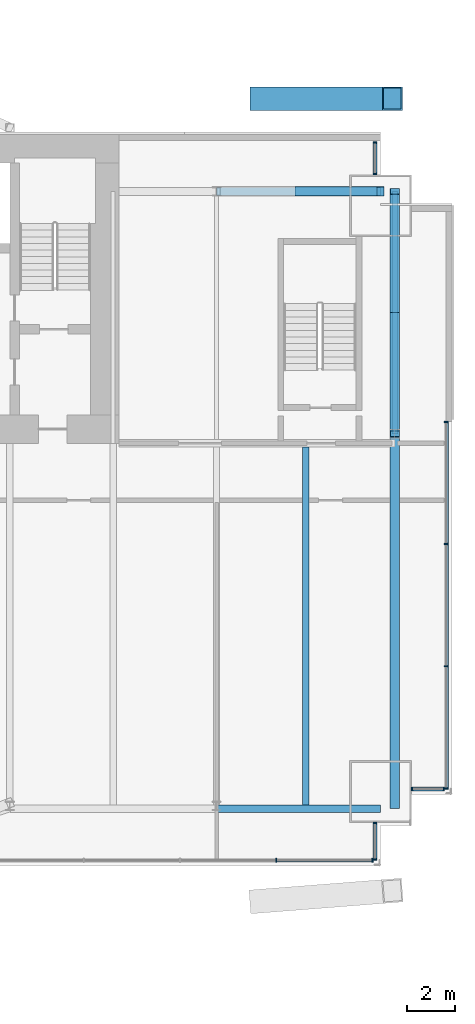
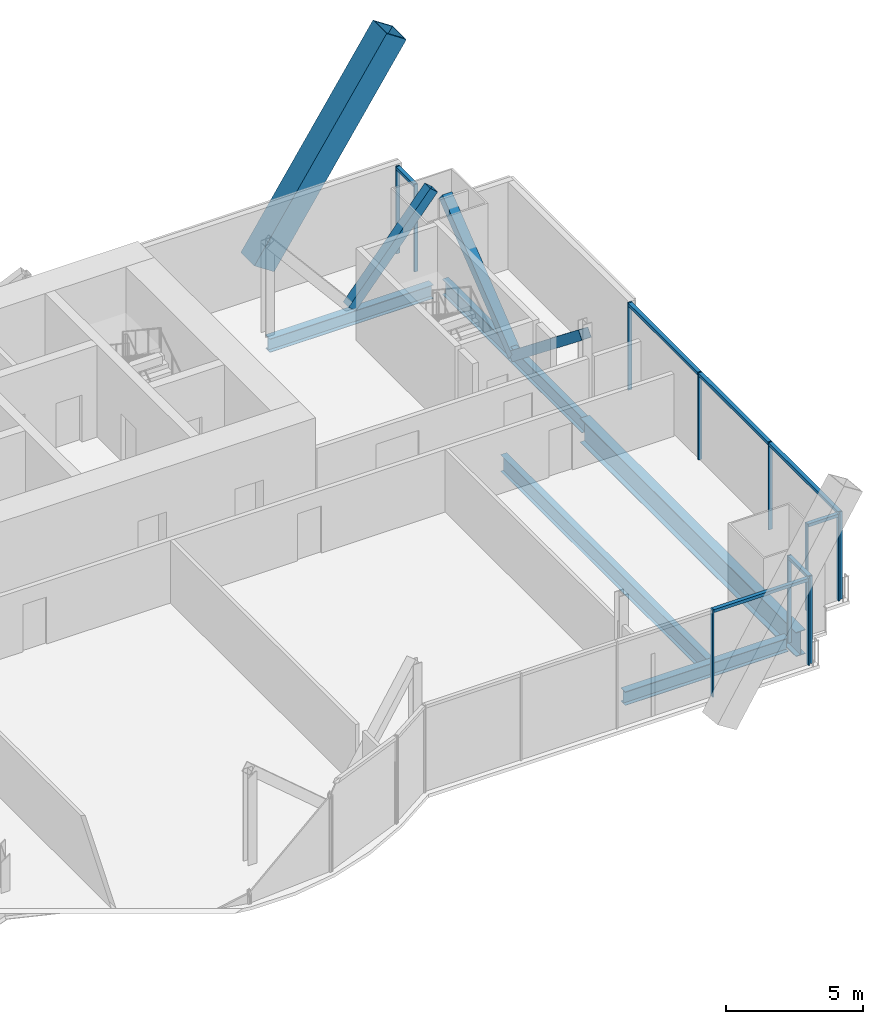
# One storey, part 12 of 20: 23 members, 5 beams, 5 elements without a shape of their own.
"""IFC4 building model written with IfcOpenShell, lengths in metres."""

from ifc_helpers import new_model, si_unit, direction, frame, origin, origin_2d, place, context, subcontext, project, spatial, rectangle, hollow_rectangle, i_section, extrude, material, material_profile, profile_set, type_object, element, aggregate, save


model = new_model("IFC4")

# Units and contexts
model_context = context("Model", 3, precision=1e-05, world=origin(), true_north=direction((0.0, 1.0)))
body_context = subcontext(model_context, "Body", "Model", "MODEL_VIEW")
ifc_project = project(units=[si_unit("LENGTHUNIT", "METRE"), si_unit("AREAUNIT", "SQUARE_METRE"), si_unit("VOLUMEUNIT", "CUBIC_METRE"), si_unit("PLANEANGLEUNIT", "RADIAN"), si_unit("MASSUNIT", "GRAM", prefix="KILO")], contexts=[model_context])

# Site, building, storey
site_placement = place(None, origin())
site = spatial("IfcSite", under=ifc_project, at=site_placement, CompositionType="ELEMENT")
building_placement = place(site_placement, origin())
building = spatial("IfcBuilding", under=site, at=building_placement, Name="Bicima Exchange Tower", CompositionType="ELEMENT")
storey_placement = place(building_placement, frame((0.0, 0.0, 231.89990234375)))
storey = spatial("IfcBuildingStorey", under=building, at=storey_placement, Name="L52", CompositionType="ELEMENT", Elevation=231.89990234375)

# Curtain wall, members
ifc_material_1 = material(Name="Anodised bronze aluminium", Category="aluminium")
curtain_wall_type_1 = type_object("IfcCurtainWallType", Name="End face glass wall", PredefinedType="NOTDEFINED", material=ifc_material_1)
curtain_wall_1_placement = place(storey_placement, origin())
curtain_wall_1 = element("IfcCurtainWall", 1, at=curtain_wall_1_placement, inside=storey, type_object=curtain_wall_type_1, Name="End face glass wall L52 run 19", PredefinedType="NOTDEFINED")
ifc_material_profile_1 = material_profile(ifc_material_1, rectangle(XDim=0.159912109375, YDim=0.06005859375, at=origin_2d()))
ifc_profile_set_1 = profile_set([ifc_material_profile_1], Name="Anodised bronze aluminium")
member_type_1 = type_object("IfcMemberType", Name="End face glass wall mullion 60 x 160", PredefinedType="MULLION", material=ifc_profile_set_1)
member_1_placement = place(storey_placement, frame((35.77001953125, -27.51611328125, 0.0), z_axis=(0.0, 0.0, 1.0), x_axis=(-1.0, 0.0, 0.0)))
member_1 = element("IfcMember", 2, at=member_1_placement, type_object=member_type_1, Name="End face glass wall mullion 1", PredefinedType="MULLION", context=body_context, shape_type="SweptSolid", body=[
    extrude(rectangle(XDim=0.159912109375, YDim=0.06005859375, at=origin_2d()), origin(), (0.0, 0.0, 1.0), 3.900146484375),
])
member_2_placement = place(storey_placement, frame((35.77001953125, -22.380615234375, 0.0), z_axis=(0.0, 0.0, 1.0), x_axis=(-1.0, 0.0, 0.0)))
member_2 = element("IfcMember", 3, at=member_2_placement, type_object=member_type_1, Name="End face glass wall mullion 2", PredefinedType="MULLION", context=body_context, shape_type="SweptSolid", body=[
    extrude(rectangle(XDim=0.159912109375, YDim=0.06005859375, at=origin_2d()), origin(), (0.0, 0.0, 1.0), 3.900146484375),
])
member_3_placement = place(storey_placement, frame((35.77001953125, -17.245361328125, 0.0), z_axis=(0.0, 0.0, 1.0), x_axis=(-1.0, 0.0, 0.0)))
member_3 = element("IfcMember", 4, at=member_3_placement, type_object=member_type_1, Name="End face glass wall mullion 3", PredefinedType="MULLION", context=body_context, shape_type="SweptSolid", body=[
    extrude(rectangle(XDim=0.159912109375, YDim=0.06005859375, at=origin_2d()), origin(), (0.0, 0.0, 1.0), 3.900146484375),
])
member_4_placement = place(storey_placement, frame((35.77001953125, -12.110107421875, 0.0), z_axis=(0.0, 0.0, 1.0), x_axis=(-1.0, 0.0, 0.0)))
member_4 = element("IfcMember", 5, at=member_4_placement, type_object=member_type_1, Name="End face glass wall mullion 4", PredefinedType="MULLION", context=body_context, shape_type="SweptSolid", body=[
    extrude(rectangle(XDim=0.159912109375, YDim=0.06005859375, at=origin_2d()), origin(), (0.0, 0.0, 1.0), 3.900146484375),
])
ifc_material_profile_2 = material_profile(ifc_material_1, rectangle(XDim=0.159912109375, YDim=0.139892578125, at=origin_2d()))
ifc_profile_set_2 = profile_set([ifc_material_profile_2], Name="Anodised bronze aluminium")
member_type_2 = type_object("IfcMemberType", Name="End face glass wall transom 140 x 160", PredefinedType="USERDEFINED", material=ifc_profile_set_2)
member_5_placement = place(storey_placement, frame((35.77001953125, -27.486083984375, 3.830078125), z_axis=(0.0, 1.0, 0.0), x_axis=(-1.0, 0.0, 0.0)))
member_5 = element("IfcMember", 6, at=member_5_placement, type_object=member_type_2, Name="End face glass wall transom 1.1", ObjectType="TRANSOM", PredefinedType="USERDEFINED", context=body_context, shape_type="SweptSolid", body=[
    extrude(rectangle(XDim=0.159912109375, YDim=0.139892578125, at=origin_2d()), origin(), (0.0, 0.0, 1.0), 5.075439453125),
])
member_6_placement = place(storey_placement, frame((35.77001953125, -22.3505859375, 3.830078125), z_axis=(0.0, 1.0, 0.0), x_axis=(-1.0, 0.0, 0.0)))
member_6 = element("IfcMember", 7, at=member_6_placement, type_object=member_type_2, Name="End face glass wall transom 2.1", ObjectType="TRANSOM", PredefinedType="USERDEFINED", context=body_context, shape_type="SweptSolid", body=[
    extrude(rectangle(XDim=0.159912109375, YDim=0.139892578125, at=origin_2d()), origin(), (0.0, 0.0, 1.0), 5.0751953125),
])
member_7_placement = place(storey_placement, frame((35.77001953125, -17.21533203125, 3.830078125), z_axis=(0.0, 1.0, 0.0), x_axis=(-1.0, 0.0, 0.0)))
member_7 = element("IfcMember", 8, at=member_7_placement, type_object=member_type_2, Name="End face glass wall transom 3.1", ObjectType="TRANSOM", PredefinedType="USERDEFINED", context=body_context, shape_type="SweptSolid", body=[
    extrude(rectangle(XDim=0.159912109375, YDim=0.139892578125, at=origin_2d()), origin(), (0.0, 0.0, 1.0), 5.075439453125),
])
aggregate(curtain_wall_1, [member_1, member_2, member_3, member_4, member_5, member_6, member_7])

# Beams
ifc_material_2 = material(Name="Steel ASTM A992 Gr 50", Category="steel")
ifc_material_profile_3 = material_profile(ifc_material_2, i_section(OverallWidth=0.256591796875, OverallDepth=0.693359375, WebThickness=0.014404296875, FlangeThickness=0.023681640625, at=origin_2d()))
ifc_profile_set_3 = profile_set([ifc_material_profile_3], Name="Steel ASTM A992 Gr 50")
beam_type_1 = type_object("IfcBeamType", Name="End girder W27x114", PredefinedType="BEAM", material=ifc_profile_set_3)
beam_1_placement = place(storey_placement, frame((33.60009765625, -2.39990234375, -0.49658203125), z_axis=(0.0, -1.0, 0.0), x_axis=(1.0, 0.0, 0.0)))
element("IfcBeam", 9, at=beam_1_placement, inside=storey, type_object=beam_type_1, Name="End girder", PredefinedType="BEAM", context=body_context, shape_type="SweptSolid", body=[
    extrude(i_section(OverallWidth=0.256591796875, OverallDepth=0.693359375, WebThickness=0.014404296875, FlangeThickness=0.023681640625, at=origin_2d()), origin(), (0.0, 0.0, 1.0), 10.2001953125),
])
ifc_material_profile_4 = material_profile(ifc_material_2, i_section(OverallWidth=0.4013671875, OverallDepth=1.089599609375, WebThickness=0.01806640625, FlangeThickness=0.031005859375, at=origin_2d()))
ifc_profile_set_4 = profile_set([ifc_material_profile_4], Name="Steel ASTM A992 Gr 50")
beam_type_2 = type_object("IfcBeamType", Name="End girder W44x230", PredefinedType="BEAM", material=ifc_profile_set_4)
beam_2_placement = place(storey_placement, frame((33.60009765625, -12.60009765625, -0.69482421875), z_axis=(0.0, -1.0, 0.0), x_axis=(1.0, 0.0, 0.0)))
element("IfcBeam", 10, at=beam_2_placement, inside=storey, type_object=beam_type_2, Name="End girder", PredefinedType="BEAM", context=body_context, shape_type="SweptSolid", body=[
    extrude(i_section(OverallWidth=0.4013671875, OverallDepth=1.089599609375, WebThickness=0.01806640625, FlangeThickness=0.031005859375, at=origin_2d()), origin(), (0.0, 0.0, 1.0), 15.77587890625),
])

# Member
ifc_material_3 = material(Name="Steel ASTM A572 Gr 50", Category="steel")
ifc_material_profile_5 = material_profile(ifc_material_3, hollow_rectangle(XDim=1.0, YDim=1.0, WallThickness=0.06005859375, at=origin_2d()))
ifc_profile_set_5 = profile_set([ifc_material_profile_5], Name="Steel ASTM A572 Gr 50")
member_type_3 = type_object("IfcMemberType", Name="Exo mega brace BOX 1000x1000x60", PredefinedType="BRACE", material=ifc_profile_set_5)
member_8_placement = place(storey_placement, frame((27.916748046875, 1.5, 0.183349609375), z_axis=(0.552785436873, 0.0, 0.833323623079), x_axis=(0.0, 1.0, 0.0)))
element("IfcMember", 11, at=member_8_placement, inside=storey, type_object=member_type_3, Name="Exo mega brace rear", PredefinedType="BRACE", context=body_context, shape_type="SweptSolid", body=[
    extrude(hollow_rectangle(XDim=1.0, YDim=1.0, WallThickness=0.06005859375, at=origin_2d()), origin(), (0.0, 0.0, 1.0), 10.10009765625),
])

# Beams
ifc_material_profile_6 = material_profile(ifc_material_2, i_section(OverallWidth=0.2666015625, OverallDepth=0.75439453125, WebThickness=0.01318359375, FlangeThickness=0.01708984375, at=origin_2d()))
ifc_profile_set_6 = profile_set([ifc_material_profile_6], Name="Steel ASTM A992 Gr 50")
beam_type_3 = type_object("IfcBeamType", Name="Floor beam W30x99", PredefinedType="JOIST", material=ifc_profile_set_6)
beam_3_placement = place(storey_placement, frame((29.85009765625, -13.15234375, -0.527099609375), z_axis=(0.0, -1.0, 0.0), x_axis=(1.0, 0.0, 0.0)))
element("IfcBeam", 12, at=beam_3_placement, inside=storey, type_object=beam_type_3, Name="Floor beam", PredefinedType="JOIST", context=body_context, shape_type="SweptSolid", body=[
    extrude(i_section(OverallWidth=0.2666015625, OverallDepth=0.75439453125, WebThickness=0.01318359375, FlangeThickness=0.01708984375, at=origin_2d()), origin(), (0.0, 0.0, 1.0), 15.06103515625),
])
ifc_material_profile_7 = material_profile(ifc_material_2, i_section(OverallWidth=0.3251953125, OverallDepth=0.612060546875, WebThickness=0.0126953125, FlangeThickness=0.01904296875, at=origin_2d()))
ifc_profile_set_7 = profile_set([ifc_material_profile_7], Name="Steel ASTM A992 Gr 50")
beam_type_4 = type_object("IfcBeamType", Name="Front girder W24x104", PredefinedType="BEAM", material=ifc_profile_set_7)
beam_4_placement = place(storey_placement, frame((26.10009765625, -28.3759765625, -0.4560546875), z_axis=(1.0, 0.0, 0.0), x_axis=(0.0, 1.0, 0.0)))
element("IfcBeam", 13, at=beam_4_placement, inside=storey, type_object=beam_type_4, Name="Front girder", PredefinedType="BEAM", context=body_context, shape_type="SweptSolid", body=[
    extrude(i_section(OverallWidth=0.3251953125, OverallDepth=0.612060546875, WebThickness=0.0126953125, FlangeThickness=0.01904296875, at=origin_2d()), origin(), (0.0, 0.0, 1.0), 6.89990234375),
])

# Curtain wall, members
curtain_wall_type_2 = type_object("IfcCurtainWallType", Name="Front glass wall", PredefinedType="NOTDEFINED", material=ifc_material_1)
curtain_wall_2_placement = place(storey_placement, origin())
curtain_wall_2 = element("IfcCurtainWall", 14, at=curtain_wall_2_placement, inside=storey, type_object=curtain_wall_type_2, Name="Front glass wall L52 run 16", PredefinedType="NOTDEFINED")
member_type_4 = type_object("IfcMemberType", Name="Front glass wall mullion 60 x 160", PredefinedType="MULLION", material=ifc_profile_set_1)
member_9_placement = place(storey_placement, frame((28.610595703125, -30.5458984375, 0.0), z_axis=(0.0, 0.0, 1.0), x_axis=(0.0, 1.0, 0.0)))
member_9 = element("IfcMember", 15, at=member_9_placement, type_object=member_type_4, Name="Front glass wall mullion 4", PredefinedType="MULLION", context=body_context, shape_type="SweptSolid", body=[
    extrude(rectangle(XDim=0.159912109375, YDim=0.06005859375, at=origin_2d()), origin(), (0.0, 0.0, 1.0), 3.900146484375),
])
member_10_placement = place(storey_placement, frame((32.659912109375, -30.5458984375, 0.0), z_axis=(0.0, 0.0, 1.0), x_axis=(0.0, 1.0, 0.0)))
member_10 = element("IfcMember", 16, at=member_10_placement, type_object=member_type_4, Name="Front glass wall mullion 5", PredefinedType="MULLION", context=body_context, shape_type="SweptSolid", body=[
    extrude(rectangle(XDim=0.159912109375, YDim=0.06005859375, at=origin_2d()), origin(), (0.0, 0.0, 1.0), 3.900146484375),
])

curtain_wall_3_placement = place(storey_placement, origin())
curtain_wall_3 = element("IfcCurtainWall", 17, at=curtain_wall_3_placement, inside=storey, type_object=curtain_wall_type_2, Name="Front glass wall L52 run 17", PredefinedType="NOTDEFINED")
member_11_placement = place(storey_placement, frame((32.77001953125, -30.51611328125, 0.0), z_axis=(0.0, 0.0, 1.0), x_axis=(-1.0, 0.0, 0.0)))
member_11 = element("IfcMember", 18, at=member_11_placement, type_object=member_type_4, Name="Front glass wall mullion 1", PredefinedType="MULLION", context=body_context, shape_type="SweptSolid", body=[
    extrude(rectangle(XDim=0.159912109375, YDim=0.06005859375, at=origin_2d()), origin(), (0.0, 0.0, 1.0), 3.900146484375),
])
member_12_placement = place(storey_placement, frame((32.77001953125, -28.98388671875, 0.0), z_axis=(0.0, 0.0, 1.0), x_axis=(-1.0, 0.0, 0.0)))
member_12 = element("IfcMember", 19, at=member_12_placement, type_object=member_type_4, Name="Front glass wall mullion 2", PredefinedType="MULLION", context=body_context, shape_type="SweptSolid", body=[
    extrude(rectangle(XDim=0.159912109375, YDim=0.06005859375, at=origin_2d()), origin(), (0.0, 0.0, 1.0), 3.900146484375),
])

curtain_wall_4_placement = place(storey_placement, origin())
curtain_wall_4 = element("IfcCurtainWall", 20, at=curtain_wall_4_placement, inside=storey, type_object=curtain_wall_type_2, Name="Front glass wall L52 run 18", PredefinedType="NOTDEFINED")
member_13_placement = place(storey_placement, frame((34.330078125, -27.5458984375, 0.0), z_axis=(0.0, 0.0, 1.0), x_axis=(0.0, 1.0, 0.0)))
member_13 = element("IfcMember", 21, at=member_13_placement, type_object=member_type_4, Name="Front glass wall mullion 1", PredefinedType="MULLION", context=body_context, shape_type="SweptSolid", body=[
    extrude(rectangle(XDim=0.159912109375, YDim=0.06005859375, at=origin_2d()), origin(), (0.0, 0.0, 1.0), 3.900146484375),
])
member_14_placement = place(storey_placement, frame((35.659912109375, -27.5458984375, 0.0), z_axis=(0.0, 0.0, 1.0), x_axis=(0.0, 1.0, 0.0)))
member_14 = element("IfcMember", 22, at=member_14_placement, type_object=member_type_4, Name="Front glass wall mullion 2", PredefinedType="MULLION", context=body_context, shape_type="SweptSolid", body=[
    extrude(rectangle(XDim=0.159912109375, YDim=0.06005859375, at=origin_2d()), origin(), (0.0, 0.0, 1.0), 3.900146484375),
])

curtain_wall_5_placement = place(storey_placement, origin())
curtain_wall_5 = element("IfcCurtainWall", 23, at=curtain_wall_5_placement, inside=storey, type_object=curtain_wall_type_2, Name="Front glass wall L52 run 20", PredefinedType="NOTDEFINED")
member_15_placement = place(storey_placement, frame((32.77001953125, -1.669921875, 0.0), z_axis=(0.0, 0.0, 1.0), x_axis=(-1.0, 0.0, 0.0)))
member_15 = element("IfcMember", 24, at=member_15_placement, type_object=member_type_4, Name="Front glass wall mullion 1", PredefinedType="MULLION", context=body_context, shape_type="SweptSolid", body=[
    extrude(rectangle(XDim=0.159912109375, YDim=0.06005859375, at=origin_2d()), origin(), (0.0, 0.0, 1.0), 3.900146484375),
])
member_16_placement = place(storey_placement, frame((32.77001953125, -0.340087890625, 0.0), z_axis=(0.0, 0.0, 1.0), x_axis=(-1.0, 0.0, 0.0)))
member_16 = element("IfcMember", 25, at=member_16_placement, type_object=member_type_4, Name="Front glass wall mullion 2", PredefinedType="MULLION", context=body_context, shape_type="SweptSolid", body=[
    extrude(rectangle(XDim=0.159912109375, YDim=0.06005859375, at=origin_2d()), origin(), (0.0, 0.0, 1.0), 3.900146484375),
])

# Member
member_type_5 = type_object("IfcMemberType", Name="Front glass wall transom 140 x 160", PredefinedType="USERDEFINED", material=ifc_profile_set_2)
member_17_placement = place(storey_placement, frame((28.640380859375, -30.5458984375, 3.830078125), z_axis=(1.0, 0.0, 0.0), x_axis=(0.0, 1.0, 0.0)))
member_17 = element("IfcMember", 26, at=member_17_placement, type_object=member_type_5, Name="Front glass wall transom 4.1", ObjectType="TRANSOM", PredefinedType="USERDEFINED", context=body_context, shape_type="SweptSolid", body=[
    extrude(rectangle(XDim=0.159912109375, YDim=0.139892578125, at=origin_2d()), origin(), (0.0, 0.0, 1.0), 3.989501953125),
])

aggregate(curtain_wall_2, [member_9, member_10, member_17])

member_18_placement = place(storey_placement, frame((32.77001953125, -30.486083984375, 3.830078125), z_axis=(0.0, 1.0, 0.0), x_axis=(-1.0, 0.0, 0.0)))
member_18 = element("IfcMember", 27, at=member_18_placement, type_object=member_type_5, Name="Front glass wall transom 1.1", ObjectType="TRANSOM", PredefinedType="USERDEFINED", context=body_context, shape_type="SweptSolid", body=[
    extrude(rectangle(XDim=0.159912109375, YDim=0.139892578125, at=origin_2d()), origin(), (0.0, 0.0, 1.0), 1.47216796875),
])

aggregate(curtain_wall_3, [member_11, member_12, member_18])

member_19_placement = place(storey_placement, frame((34.360107421875, -27.5458984375, 3.830078125), z_axis=(1.0, 0.0, 0.0), x_axis=(0.0, 1.0, 0.0)))
member_19 = element("IfcMember", 28, at=member_19_placement, type_object=member_type_5, Name="Front glass wall transom 1.1", ObjectType="TRANSOM", PredefinedType="USERDEFINED", context=body_context, shape_type="SweptSolid", body=[
    extrude(rectangle(XDim=0.159912109375, YDim=0.139892578125, at=origin_2d()), origin(), (0.0, 0.0, 1.0), 1.269775390625),
])

aggregate(curtain_wall_4, [member_13, member_14, member_19])

member_20_placement = place(storey_placement, frame((32.77001953125, -1.639892578125, 3.830078125), z_axis=(0.0, 1.0, 0.0), x_axis=(-1.0, 0.0, 0.0)))
member_20 = element("IfcMember", 29, at=member_20_placement, type_object=member_type_5, Name="Front glass wall transom 1.1", ObjectType="TRANSOM", PredefinedType="USERDEFINED", context=body_context, shape_type="SweptSolid", body=[
    extrude(rectangle(XDim=0.159912109375, YDim=0.139892578125, at=origin_2d()), origin(), (0.0, 0.0, 1.0), 1.269775390625),
])

aggregate(curtain_wall_5, [member_15, member_16, member_20])

# Members
ifc_material_profile_8 = material_profile(ifc_material_3, hollow_rectangle(XDim=0.406494140625, YDim=0.406494140625, WallThickness=0.0146484375, at=origin_2d()))
ifc_profile_set_8 = profile_set([ifc_material_profile_8], Name="Steel ASTM A572 Gr 50")
member_type_6 = type_object("IfcMemberType", Name="Mega brace HSS16x16x5/8", PredefinedType="BRACE", material=ifc_profile_set_8)
member_21_placement = place(storey_placement, frame((29.550048828125, -2.39990234375, 0.0), z_axis=(0.643834042494, 0.0, 0.765165162384), x_axis=(0.0, 1.0, 0.0)))
element("IfcMember", 30, at=member_21_placement, inside=storey, type_object=member_type_6, Name="Mega brace rear", PredefinedType="BRACE", context=body_context, shape_type="SweptSolid", body=[
    extrude(hollow_rectangle(XDim=0.406494140625, YDim=0.406494140625, WallThickness=0.0146484375, at=origin_2d()), origin(), (0.0, 0.0, 1.0), 5.3583984375),
])
for number, where, z_axis, x_axis, name in (
    (31, (33.60009765625, -7.5, -0.49658203125), (0.0, -0.783112995316, 0.621879438932), (1.0, 0.0, 0.0), "Mega brace east end"),
    (32, (33.60009765625, -7.5, -0.49658203125), (0.0, 0.783112995316, 0.621879438932), (-1.0, 0.0, 0.0), "Mega brace east end"),
):
    element("IfcMember", number, at=place(storey_placement, frame(where, z_axis=z_axis, x_axis=x_axis)), inside=storey, type_object=member_type_6, Name=name, PredefinedType="BRACE", context=body_context, shape_type="SweptSolid", body=[
        extrude(hollow_rectangle(XDim=0.406494140625, YDim=0.406494140625, WallThickness=0.0146484375, at=origin_2d()), origin(), (0.0, 0.0, 1.0), 6.5126953125),
    ])

# Beam
beam_type_5 = type_object("IfcBeamType", Name="Rear girder W24x104", PredefinedType="BEAM", material=ifc_profile_set_7)
beam_5_placement = place(storey_placement, frame((26.10009765625, -2.39990234375, -0.4560546875), z_axis=(1.0, 0.0, 0.0), x_axis=(0.0, 1.0, 0.0)))
element("IfcBeam", 33, at=beam_5_placement, inside=storey, type_object=beam_type_5, Name="Rear girder", PredefinedType="BEAM", context=body_context, shape_type="SweptSolid", body=[
    extrude(i_section(OverallWidth=0.3251953125, OverallDepth=0.612060546875, WebThickness=0.0126953125, FlangeThickness=0.01904296875, at=origin_2d()), origin(), (0.0, 0.0, 1.0), 6.89990234375),
])

save(model, "model.ifc")
